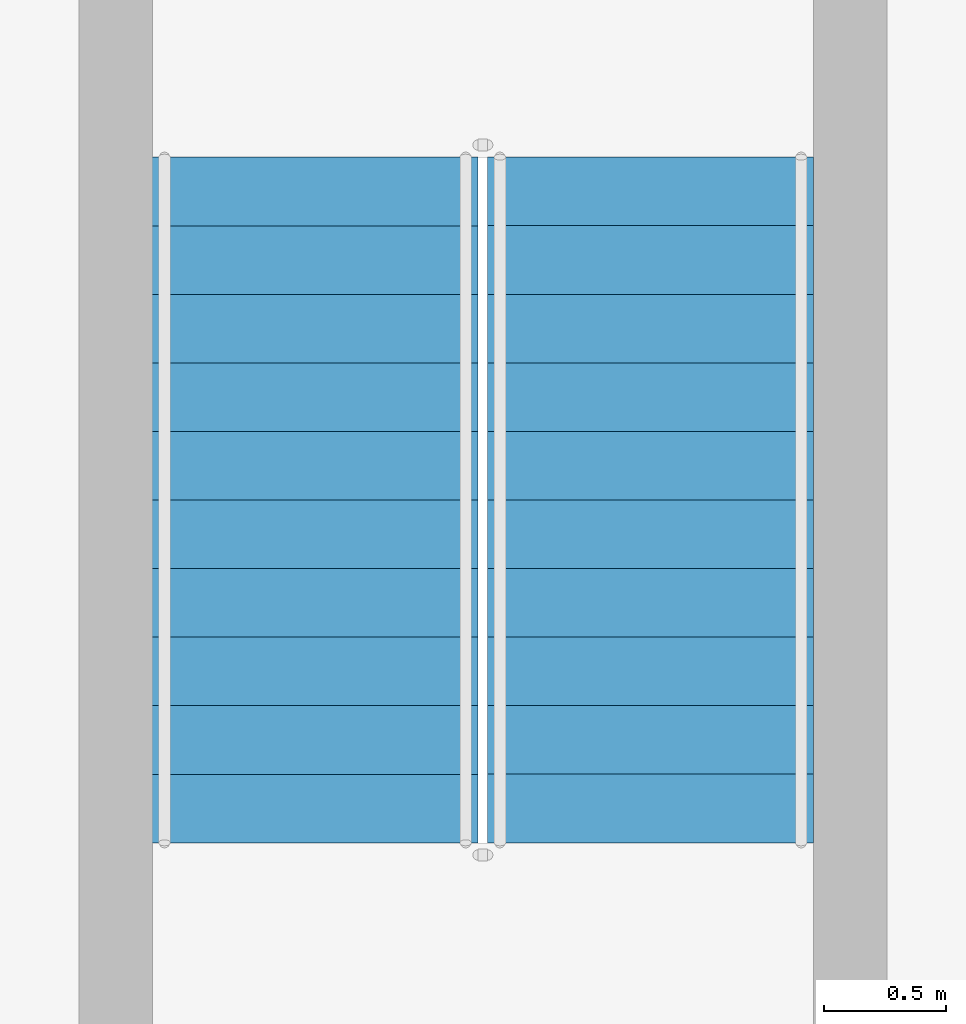
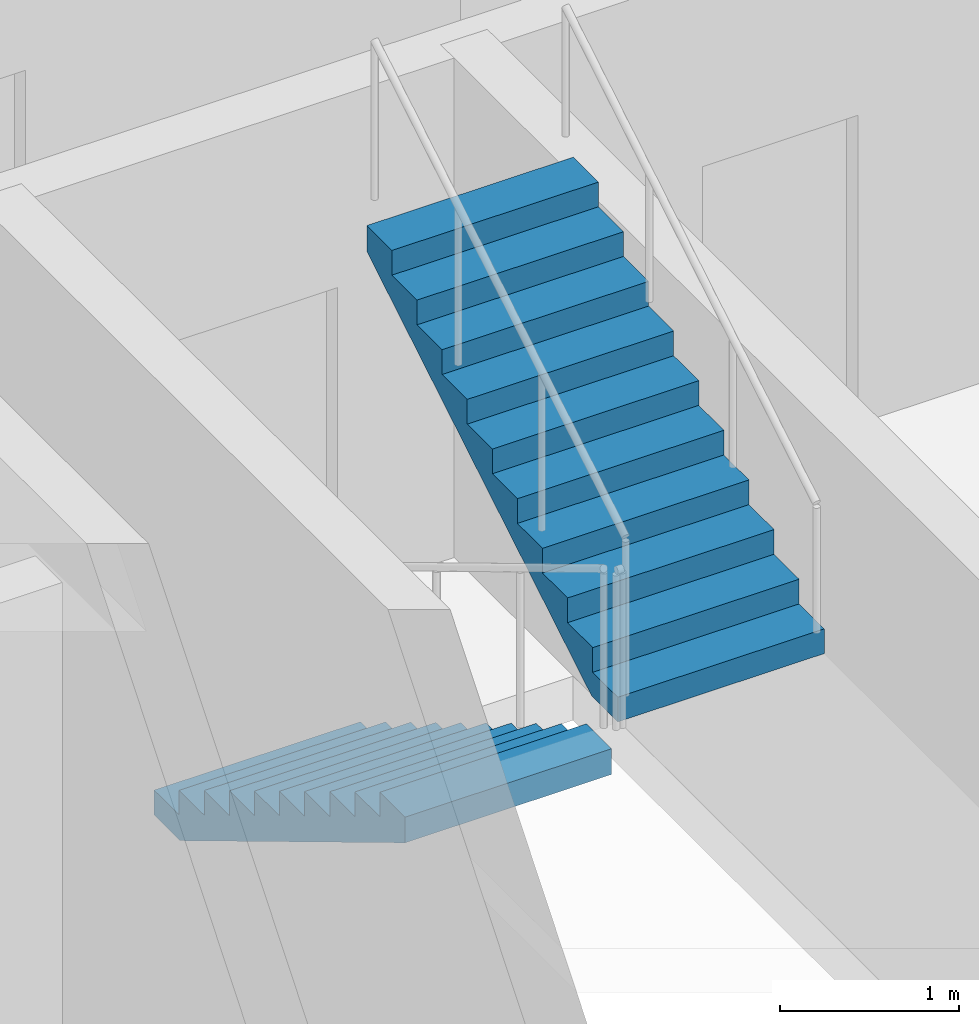
# One storey, part 13 of 22: 2 stair flights, 1 element without a shape of its own.
"""IFC4 building model written with IfcOpenShell, lengths in metres."""

import ifcopenshell
import ifcopenshell.guid

model = None  # the IFC model being written
_history = None  # IfcOwnerHistory: only IFC2X3 demands one
_inside = {}  # id of a spatial element -> (the spatial element, [elements in it])
_under = {}  # id of a project, library or spatial element -> (it, [spatial elements below it])
_declared = {}  # id of a project -> (the project, [libraries it declares])
_typed = {}  # id of a type object -> (the type object, [elements of that type])
_made_of = {}  # id of a material, layer set ... -> (it, [elements and type objects made of it])


def new_model(schema):
    """Start an empty IFC model of exactly this schema.

    Asked for "IFC4X3", IfcOpenShell would pick the latest addendum, in which some entities
    have other attributes; the version numbers below select the first issue.
    IFC2X3 requires an IfcOwnerHistory on every rooted entity: one is made here for all.
    """
    global model, _history
    if schema == "IFC4X3":
        model = ifcopenshell.file(schema_version=(4, 3, 0, 0))
    else:
        model = ifcopenshell.file(schema=schema)
    _inside.clear()
    _under.clear()
    _declared.clear()
    _typed.clear()
    _made_of.clear()
    _history = None
    if model.schema == "IFC2X3":
        org = make("IfcOrganization", Name="unknown")
        user = make(
            "IfcPersonAndOrganization",
            ThePerson=make("IfcPerson", FamilyName="unknown"),
            TheOrganization=org,
        )
        app = make(
            "IfcApplication",
            ApplicationDeveloper=org,
            Version="unknown",
            ApplicationFullName="unknown",
            ApplicationIdentifier="unknown",
        )
        _history = make(
            "IfcOwnerHistory",
            OwningUser=user,
            OwningApplication=app,
            ChangeAction="ADDED",
            CreationDate=0,
        )
    return model


def make(cls, **values):
    """One entity of the class cls with the attributes given. An attribute that is None is left unset."""
    return model.create_entity(
        cls, **{name: value for name, value in values.items() if value is not None}
    )


def rooted(cls, **values):
    """An entity with a GlobalId (a new one), such as an element, a storey or a relation."""
    return make(cls, GlobalId=ifcopenshell.guid.new(), OwnerHistory=_history, **values)


def si_unit(unit_type, name, prefix=None):
    """IfcSIUnit, for example si_unit("LENGTHUNIT", "METRE", prefix="MILLI")."""
    return make("IfcSIUnit", UnitType=unit_type, Prefix=prefix, Name=name)


def assignment(units):
    """IfcUnitAssignment: the units of a project."""
    return None if units is None else make("IfcUnitAssignment", Units=units)


def point(xyz):
    """IfcCartesianPoint."""
    return None if xyz is None else make("IfcCartesianPoint", Coordinates=xyz)


def direction(xyz):
    """IfcDirection."""
    return None if xyz is None else make("IfcDirection", DirectionRatios=xyz)


def frame(location, z_axis=None, x_axis=None):
    """IfcAxis2Placement3D, a coordinate frame: its origin and axes. An axis left out is left unset."""
    return make(
        "IfcAxis2Placement3D",
        Location=point(location),
        Axis=direction(z_axis),
        RefDirection=direction(x_axis),
    )


def origin():
    """The frame at (0, 0, 0) with its axes left unset."""
    return frame((0.0, 0.0, 0.0))


def place(relative_to, where):
    """IfcLocalPlacement: puts the frame where relative to a parent placement (None: the world)."""
    return make(
        "IfcLocalPlacement", PlacementRelTo=relative_to, RelativePlacement=where
    )


def context(
    kind, dimensions, precision=None, world=None, true_north=None, identifier=None
):
    """IfcGeometricRepresentationContext, for example the 3D "Model" context."""
    return make(
        "IfcGeometricRepresentationContext",
        ContextIdentifier=identifier,
        ContextType=kind,
        CoordinateSpaceDimension=dimensions,
        Precision=precision,
        WorldCoordinateSystem=world,
        TrueNorth=true_north,
    )


def subcontext(parent, identifier, kind, view, scale=None):
    """IfcGeometricRepresentationSubContext, for example "Body" below "Model"."""
    return make(
        "IfcGeometricRepresentationSubContext",
        ContextIdentifier=identifier,
        ContextType=kind,
        ParentContext=parent,
        TargetScale=scale,
        TargetView=view,
    )


def project(units=None, contexts=None):
    """IfcProject with its units and contexts."""
    return rooted(
        "IfcProject",
        Name="project",
        RepresentationContexts=contexts,
        UnitsInContext=assignment(units),
    )


def spatial(cls, under=None, at=None, **own):
    """A site, building, storey or space (cls), placed at a placement, below another one or the project."""
    s = rooted(cls, ObjectPlacement=at, **own)
    if under is not None:
        _under.setdefault(under.id(), (under, []))[1].append(s)
    return s


def point_list(points):
    """IfcCartesianPointList2D or 3D."""
    cls = (
        "IfcCartesianPointList2D" if len(points[0]) == 2 else "IfcCartesianPointList3D"
    )
    return make(cls, CoordList=points)


def triangles(points, corners, closed=None, point_numbers=None):
    """IfcTriangulatedFaceSet: each triangle names its three corners, points numbered from 1."""
    return make(
        "IfcTriangulatedFaceSet",
        Coordinates=point_list(points),
        Closed=closed,
        CoordIndex=corners,
        PnIndex=point_numbers,
    )


def shape(context_of_items, identifier, shape_type, items):
    """IfcShapeRepresentation: the items that make up one representation, for example the "Body"."""
    return make(
        "IfcShapeRepresentation",
        ContextOfItems=context_of_items,
        RepresentationIdentifier=identifier,
        RepresentationType=shape_type,
        Items=items,
    )


def source(mapping_origin, context_of_items, identifier, shape_type, items):
    """IfcRepresentationMap: a shape defined once, which mapped items show again and again."""
    return make(
        "IfcRepresentationMap",
        MappingOrigin=mapping_origin,
        MappedRepresentation=shape(context_of_items, identifier, shape_type, items),
    )


def transform(
    local_origin,
    x_axis=None,
    y_axis=None,
    z_axis=None,
    scale=None,
    scale2=None,
    scale3=None,
    uniform=True,
):
    """IfcCartesianTransformationOperator3D, or its non-uniform kind. x_axis, y_axis, z_axis: its Axis1, 2, 3."""
    if uniform:
        return make(
            "IfcCartesianTransformationOperator3D",
            Axis1=direction(x_axis),
            Axis2=direction(y_axis),
            LocalOrigin=point(local_origin),
            Scale=scale,
            Axis3=direction(z_axis),
        )
    return make(
        "IfcCartesianTransformationOperator3DnonUniform",
        Axis1=direction(x_axis),
        Axis2=direction(y_axis),
        LocalOrigin=point(local_origin),
        Scale=scale,
        Axis3=direction(z_axis),
        Scale2=scale2,
        Scale3=scale3,
    )


def mapped(mapping_source, mapping_target):
    """IfcMappedItem: shows the shape of a source again, moved by a transform."""
    return make(
        "IfcMappedItem", MappingSource=mapping_source, MappingTarget=mapping_target
    )


def material(Name=None, Category=None):
    """IfcMaterial."""
    return make("IfcMaterial", Name=Name, Category=Category)


def made_of(thing, what):
    """Note that an element or type object is made of a material, layer set ...; save() writes the relation."""
    if what is not None:
        _made_of.setdefault(what.id(), (what, []))[1].append(thing)
    return thing


def type_object(cls, material=None, **own):
    """A type object (cls), such as IfcWallType, which elements share."""
    return made_of(rooted(cls, **own), material)


def element(
    cls,
    number,
    at=None,
    inside=None,
    cuts=None,
    type_object=None,
    material=None,
    context=None,
    identifier="Body",
    shape_type=None,
    held_by="IfcProductDefinitionShape",
    body=None,
    shapes=None,
    **own,
):
    """One element of the class cls, such as IfcWall. Its Tag is "e" and its number.

    at: its placement. inside: the storey or other place that contains it. cuts: it is an
    opening in that element (IfcRelVoidsElement). A single representation is given by context,
    identifier, shape_type and body (its items); several are given by shapes. held_by: the class
    of the entity that holds the representations. save() writes the other relations.
    """
    e = rooted(cls, Tag="e%d" % number, ObjectPlacement=at, **own)
    if body is not None:
        shapes = [shape(context, identifier, shape_type, body)]
    if shapes is not None:
        e.Representation = make(held_by, Representations=shapes)
    if inside is not None:
        _inside.setdefault(inside.id(), (inside, []))[1].append(e)
    if cuts is not None:
        rooted(
            "IfcRelVoidsElement", RelatingBuildingElement=cuts, RelatedOpeningElement=e
        )
    if type_object is not None:
        _typed.setdefault(type_object.id(), (type_object, []))[1].append(e)
    return made_of(e, material)


def aggregate(whole, parts):
    """IfcRelAggregates: a whole, such as a stair, and the parts it consists of."""
    return rooted("IfcRelAggregates", RelatingObject=whole, RelatedObjects=parts)


def save(model, path):
    """Write the relations noted so far, then the file.

    IfcRelAggregates (storeys below a building ...), IfcRelContainedInSpatialStructure (elements
    in a storey), IfcRelDefinesByType, IfcRelAssociatesMaterial and IfcRelDeclares: one each for
    every whole, place, type object, material and project.
    """
    for whole, parts in _under.values():
        aggregate(whole, parts)
    for where, things in _inside.values():
        rooted(
            "IfcRelContainedInSpatialStructure",
            RelatedElements=things,
            RelatingStructure=where,
        )
    for kind, things in _typed.values():
        rooted("IfcRelDefinesByType", RelatedObjects=things, RelatingType=kind)
    for what, things in _made_of.values():
        rooted("IfcRelAssociatesMaterial", RelatedObjects=things, RelatingMaterial=what)
    for by, libraries in _declared.values():
        rooted("IfcRelDeclares", RelatingContext=by, RelatedDefinitions=libraries)
    model.write(path)


model = new_model("IFC4")

# Units and contexts
model_context = context("Model", 3, precision=1e-05, world=origin(), true_north=direction((0.0, 1.0)))
body_context = subcontext(model_context, "Body", "Model", "MODEL_VIEW")
ifc_project = project(units=[si_unit("LENGTHUNIT", "METRE"), si_unit("AREAUNIT", "SQUARE_METRE"), si_unit("VOLUMEUNIT", "CUBIC_METRE"), si_unit("PLANEANGLEUNIT", "RADIAN"), si_unit("MASSUNIT", "GRAM", prefix="KILO")], contexts=[model_context])

# Site, building, storey
site_placement = place(None, origin())
site = spatial("IfcSite", under=ifc_project, at=site_placement, CompositionType="ELEMENT")
building_placement = place(site_placement, origin())
building = spatial("IfcBuilding", under=site, at=building_placement, Name="Ogive Portal Towers", CompositionType="ELEMENT")
storey_placement = place(building_placement, frame((0.0, 0.0, 145.89990234375)))
storey = spatial("IfcBuildingStorey", under=building, at=storey_placement, Name="L35", CompositionType="ELEMENT", Elevation=145.89990234375)

# Stair, stair flights
ifc_material = material(Name="Concrete C40/50", Category="concrete")
stair_type = type_object("IfcStairType", Name="INT-STAIR", PredefinedType="HALF_TURN_STAIR", material=ifc_material)
stair_placement = place(storey_placement, origin())
stair = element("IfcStair", 1, at=stair_placement, inside=storey, type_object=stair_type, Name="L35 Exit Stair ST-A4", PredefinedType="HALF_TURN_STAIR")
stair_flight_type = type_object("IfcStairFlightType", Name="INT-FLIGHT", PredefinedType="STRAIGHT", material=ifc_material)
shared_shape = source(origin(), body_context, "Body", "Tessellation", [
    triangles([(0.0, -0.6650390625, 0.0), (0.0, -0.384765625, 0.0), (0.0, -0.197021484375, 0.0), (0.0, -0.0830078125, 0.0), (0.0, -0.024658203125, 0.0), (0.0, -0.003173828125, 0.0), (0.0, 0.0, 0.0), (0.0, 0.003173828125, 0.0), (0.0, 0.024658203125, 0.0), (0.0, 0.0830078125, 0.0), (0.0, 0.197021484375, 0.0), (0.0, 0.384765625, 0.0), (0.0, 0.6650390625, 0.0), (0.0, -0.6650390625, 0.168212890625), (0.0, -0.384765625, 0.168212890625), (0.0, -0.197021484375, 0.168212890625), (0.0, -0.0830078125, 0.168212890625), (0.0, -0.024658203125, 0.168212890625), (0.0, -0.003173828125, 0.168212890625), (0.0, 0.0, 0.168212890625), (0.0, 0.003173828125, 0.168212890625), (0.0, 0.024658203125, 0.168212890625), (0.0, 0.0830078125, 0.168212890625), (0.0, 0.197021484375, 0.168212890625), (0.0, 0.384765625, 0.168212890625), (0.0, 0.6650390625, 0.168212890625), (0.280029296875, -0.6650390625, 0.168212890625), (0.280029296875, -0.384765625, 0.168212890625), (0.280029296875, -0.197021484375, 0.168212890625), (0.280029296875, -0.0830078125, 0.168212890625), (0.280029296875, -0.024658203125, 0.168212890625), (0.280029296875, -0.003173828125, 0.168212890625), (0.280029296875, 0.0, 0.168212890625), (0.280029296875, 0.003173828125, 0.168212890625), (0.280029296875, 0.024658203125, 0.168212890625), (0.280029296875, 0.0830078125, 0.168212890625), (0.280029296875, 0.197021484375, 0.168212890625), (0.280029296875, 0.384765625, 0.168212890625), (0.280029296875, 0.6650390625, 0.168212890625), (0.280029296875, -0.6650390625, 0.33642578125), (0.280029296875, -0.384765625, 0.33642578125), (0.280029296875, -0.197021484375, 0.33642578125), (0.280029296875, -0.0830078125, 0.33642578125), (0.280029296875, -0.024658203125, 0.33642578125), (0.280029296875, -0.003173828125, 0.33642578125), (0.280029296875, 0.0, 0.33642578125), (0.280029296875, 0.003173828125, 0.33642578125), (0.280029296875, 0.024658203125, 0.33642578125), (0.280029296875, 0.0830078125, 0.33642578125), (0.280029296875, 0.197021484375, 0.33642578125), (0.280029296875, 0.384765625, 0.33642578125), (0.280029296875, 0.6650390625, 0.33642578125), (0.56005859375, -0.6650390625, 0.33642578125), (0.56005859375, -0.384765625, 0.33642578125), (0.56005859375, -0.197021484375, 0.33642578125), (0.56005859375, -0.0830078125, 0.33642578125), (0.56005859375, -0.024658203125, 0.33642578125), (0.56005859375, -0.003173828125, 0.33642578125), (0.56005859375, 0.0, 0.33642578125), (0.56005859375, 0.003173828125, 0.33642578125), (0.56005859375, 0.024658203125, 0.33642578125), (0.56005859375, 0.0830078125, 0.33642578125), (0.56005859375, 0.197021484375, 0.33642578125), (0.56005859375, 0.384765625, 0.33642578125), (0.56005859375, 0.6650390625, 0.33642578125), (0.56005859375, -0.6650390625, 0.504638671875), (0.56005859375, -0.384765625, 0.504638671875), (0.56005859375, -0.197021484375, 0.504638671875), (0.56005859375, -0.0830078125, 0.504638671875), (0.56005859375, -0.024658203125, 0.504638671875), (0.56005859375, -0.003173828125, 0.504638671875), (0.56005859375, 0.0, 0.504638671875), (0.56005859375, 0.003173828125, 0.504638671875), (0.56005859375, 0.024658203125, 0.504638671875), (0.56005859375, 0.0830078125, 0.504638671875), (0.56005859375, 0.197021484375, 0.504638671875), (0.56005859375, 0.384765625, 0.504638671875), (0.56005859375, 0.6650390625, 0.504638671875), (0.840087890625, -0.6650390625, 0.504638671875), (0.840087890625, -0.384765625, 0.504638671875), (0.840087890625, -0.197021484375, 0.504638671875), (0.840087890625, -0.0830078125, 0.504638671875), (0.840087890625, -0.024658203125, 0.504638671875), (0.840087890625, -0.003173828125, 0.504638671875), (0.840087890625, 0.0, 0.504638671875), (0.840087890625, 0.003173828125, 0.504638671875), (0.840087890625, 0.024658203125, 0.504638671875), (0.840087890625, 0.0830078125, 0.504638671875), (0.840087890625, 0.197021484375, 0.504638671875), (0.840087890625, 0.384765625, 0.504638671875), (0.840087890625, 0.6650390625, 0.504638671875), (0.840087890625, -0.6650390625, 0.672607421875), (0.840087890625, -0.384765625, 0.672607421875), (0.840087890625, -0.197021484375, 0.672607421875), (0.840087890625, -0.0830078125, 0.672607421875), (0.840087890625, -0.024658203125, 0.672607421875), (0.840087890625, -0.003173828125, 0.672607421875), (0.840087890625, 0.0, 0.672607421875), (0.840087890625, 0.003173828125, 0.672607421875), (0.840087890625, 0.024658203125, 0.672607421875), (0.840087890625, 0.0830078125, 0.672607421875), (0.840087890625, 0.197021484375, 0.672607421875), (0.840087890625, 0.384765625, 0.672607421875), (0.840087890625, 0.6650390625, 0.672607421875), (1.1201171875, -0.6650390625, 0.672607421875), (1.1201171875, -0.384765625, 0.672607421875), (1.1201171875, -0.197021484375, 0.672607421875), (1.1201171875, -0.0830078125, 0.672607421875), (1.1201171875, -0.024658203125, 0.672607421875), (1.1201171875, -0.003173828125, 0.672607421875), (1.1201171875, 0.0, 0.672607421875), (1.1201171875, 0.003173828125, 0.672607421875), (1.1201171875, 0.024658203125, 0.672607421875), (1.1201171875, 0.0830078125, 0.672607421875), (1.1201171875, 0.197021484375, 0.672607421875), (1.1201171875, 0.384765625, 0.672607421875), (1.1201171875, 0.6650390625, 0.672607421875), (1.1201171875, -0.6650390625, 0.8408203125), (1.1201171875, -0.384765625, 0.8408203125), (1.1201171875, -0.197021484375, 0.8408203125), (1.1201171875, -0.0830078125, 0.8408203125), (1.1201171875, -0.024658203125, 0.8408203125), (1.1201171875, -0.003173828125, 0.8408203125), (1.1201171875, 0.0, 0.8408203125), (1.1201171875, 0.003173828125, 0.8408203125), (1.1201171875, 0.024658203125, 0.8408203125), (1.1201171875, 0.0830078125, 0.8408203125), (1.1201171875, 0.197021484375, 0.8408203125), (1.1201171875, 0.384765625, 0.8408203125), (1.1201171875, 0.6650390625, 0.8408203125), (1.39990234375, -0.6650390625, 0.8408203125), (1.39990234375, -0.384765625, 0.8408203125), (1.39990234375, -0.197021484375, 0.8408203125), (1.39990234375, -0.0830078125, 0.8408203125), (1.39990234375, -0.024658203125, 0.8408203125), (1.39990234375, -0.003173828125, 0.8408203125), (1.39990234375, 0.0, 0.8408203125), (1.39990234375, 0.003173828125, 0.8408203125), (1.39990234375, 0.024658203125, 0.8408203125), (1.39990234375, 0.0830078125, 0.8408203125), (1.39990234375, 0.197021484375, 0.8408203125), (1.39990234375, 0.384765625, 0.8408203125), (1.39990234375, 0.6650390625, 0.8408203125), (1.39990234375, -0.6650390625, 1.009033203125), (1.39990234375, -0.384765625, 1.009033203125), (1.39990234375, -0.197021484375, 1.009033203125), (1.39990234375, -0.0830078125, 1.009033203125), (1.39990234375, -0.024658203125, 1.009033203125), (1.39990234375, -0.003173828125, 1.009033203125), (1.39990234375, 0.0, 1.009033203125), (1.39990234375, 0.003173828125, 1.009033203125), (1.39990234375, 0.024658203125, 1.009033203125), (1.39990234375, 0.0830078125, 1.009033203125), (1.39990234375, 0.197021484375, 1.009033203125), (1.39990234375, 0.384765625, 1.009033203125), (1.39990234375, 0.6650390625, 1.009033203125), (1.679931640625, -0.6650390625, 1.009033203125), (1.679931640625, -0.384765625, 1.009033203125), (1.679931640625, -0.197021484375, 1.009033203125), (1.679931640625, -0.0830078125, 1.009033203125), (1.679931640625, -0.024658203125, 1.009033203125), (1.679931640625, -0.003173828125, 1.009033203125), (1.679931640625, 0.0, 1.009033203125), (1.679931640625, 0.003173828125, 1.009033203125), (1.679931640625, 0.024658203125, 1.009033203125), (1.679931640625, 0.0830078125, 1.009033203125), (1.679931640625, 0.197021484375, 1.009033203125), (1.679931640625, 0.384765625, 1.009033203125), (1.679931640625, 0.6650390625, 1.009033203125), (1.679931640625, -0.6650390625, 1.17724609375), (1.679931640625, -0.384765625, 1.17724609375), (1.679931640625, -0.197021484375, 1.17724609375), (1.679931640625, -0.0830078125, 1.17724609375), (1.679931640625, -0.024658203125, 1.17724609375), (1.679931640625, -0.003173828125, 1.17724609375), (1.679931640625, 0.0, 1.17724609375), (1.679931640625, 0.003173828125, 1.17724609375), (1.679931640625, 0.024658203125, 1.17724609375), (1.679931640625, 0.0830078125, 1.17724609375), (1.679931640625, 0.197021484375, 1.17724609375), (1.679931640625, 0.384765625, 1.17724609375), (1.679931640625, 0.6650390625, 1.17724609375), (1.9599609375, -0.6650390625, 1.17724609375), (1.9599609375, -0.384765625, 1.17724609375), (1.9599609375, -0.197021484375, 1.17724609375), (1.9599609375, -0.0830078125, 1.17724609375), (1.9599609375, -0.024658203125, 1.17724609375), (1.9599609375, -0.003173828125, 1.17724609375), (1.9599609375, 0.0, 1.17724609375), (1.9599609375, 0.003173828125, 1.17724609375), (1.9599609375, 0.024658203125, 1.17724609375), (1.9599609375, 0.0830078125, 1.17724609375), (1.9599609375, 0.197021484375, 1.17724609375), (1.9599609375, 0.384765625, 1.17724609375), (1.9599609375, 0.6650390625, 1.17724609375), (1.9599609375, -0.6650390625, 1.345458984375), (1.9599609375, -0.384765625, 1.345458984375), (1.9599609375, -0.197021484375, 1.345458984375), (1.9599609375, -0.0830078125, 1.345458984375), (1.9599609375, -0.024658203125, 1.345458984375), (1.9599609375, -0.003173828125, 1.345458984375), (1.9599609375, 0.0, 1.345458984375), (1.9599609375, 0.003173828125, 1.345458984375), (1.9599609375, 0.024658203125, 1.345458984375), (1.9599609375, 0.0830078125, 1.345458984375), (1.9599609375, 0.197021484375, 1.345458984375), (1.9599609375, 0.384765625, 1.345458984375), (1.9599609375, 0.6650390625, 1.345458984375), (2.239990234375, -0.6650390625, 1.345458984375), (2.239990234375, -0.384765625, 1.345458984375), (2.239990234375, -0.197021484375, 1.345458984375), (2.239990234375, -0.0830078125, 1.345458984375), (2.239990234375, -0.024658203125, 1.345458984375), (2.239990234375, -0.003173828125, 1.345458984375), (2.239990234375, 0.0, 1.345458984375), (2.239990234375, 0.003173828125, 1.345458984375), (2.239990234375, 0.024658203125, 1.345458984375), (2.239990234375, 0.0830078125, 1.345458984375), (2.239990234375, 0.197021484375, 1.345458984375), (2.239990234375, 0.384765625, 1.345458984375), (2.239990234375, 0.6650390625, 1.345458984375), (2.239990234375, -0.6650390625, 1.513671875), (2.239990234375, -0.384765625, 1.513671875), (2.239990234375, -0.197021484375, 1.513671875), (2.239990234375, -0.0830078125, 1.513671875), (2.239990234375, -0.024658203125, 1.513671875), (2.239990234375, -0.003173828125, 1.513671875), (2.239990234375, 0.0, 1.513671875), (2.239990234375, 0.003173828125, 1.513671875), (2.239990234375, 0.024658203125, 1.513671875), (2.239990234375, 0.0830078125, 1.513671875), (2.239990234375, 0.197021484375, 1.513671875), (2.239990234375, 0.384765625, 1.513671875), (2.239990234375, 0.6650390625, 1.513671875), (2.52001953125, -0.6650390625, 1.513671875), (2.52001953125, -0.384765625, 1.513671875), (2.52001953125, -0.197021484375, 1.513671875), (2.52001953125, -0.0830078125, 1.513671875), (2.52001953125, -0.024658203125, 1.513671875), (2.52001953125, -0.003173828125, 1.513671875), (2.52001953125, 0.0, 1.513671875), (2.52001953125, 0.003173828125, 1.513671875), (2.52001953125, 0.024658203125, 1.513671875), (2.52001953125, 0.0830078125, 1.513671875), (2.52001953125, 0.197021484375, 1.513671875), (2.52001953125, 0.384765625, 1.513671875), (2.52001953125, 0.6650390625, 1.513671875), (2.52001953125, -0.6650390625, 1.681884765625), (2.52001953125, -0.384765625, 1.681884765625), (2.52001953125, -0.197021484375, 1.681884765625), (2.52001953125, -0.0830078125, 1.681884765625), (2.52001953125, -0.024658203125, 1.681884765625), (2.52001953125, -0.003173828125, 1.681884765625), (2.52001953125, 0.0, 1.681884765625), (2.52001953125, 0.003173828125, 1.681884765625), (2.52001953125, 0.024658203125, 1.681884765625), (2.52001953125, 0.0830078125, 1.681884765625), (2.52001953125, 0.197021484375, 1.681884765625), (2.52001953125, 0.384765625, 1.681884765625), (2.52001953125, 0.6650390625, 1.681884765625), (2.800048828125, -0.6650390625, 1.681884765625), (2.800048828125, -0.384765625, 1.681884765625), (2.800048828125, -0.197021484375, 1.681884765625), (2.800048828125, -0.0830078125, 1.681884765625), (2.800048828125, -0.024658203125, 1.681884765625), (2.800048828125, -0.003173828125, 1.681884765625), (2.800048828125, 0.0, 1.681884765625), (2.800048828125, 0.003173828125, 1.681884765625), (2.800048828125, 0.024658203125, 1.681884765625), (2.800048828125, 0.0830078125, 1.681884765625), (2.800048828125, 0.197021484375, 1.681884765625), (2.800048828125, 0.384765625, 1.681884765625), (2.800048828125, 0.6650390625, 1.681884765625), (2.800048828125, -0.6650390625, 1.5068359375), (2.800048828125, -0.384765625, 1.5068359375), (2.800048828125, -0.197021484375, 1.5068359375), (2.800048828125, -0.0830078125, 1.5068359375), (2.800048828125, -0.024658203125, 1.5068359375), (2.800048828125, -0.003173828125, 1.5068359375), (2.800048828125, 0.0, 1.5068359375), (2.800048828125, 0.003173828125, 1.5068359375), (2.800048828125, 0.024658203125, 1.5068359375), (2.800048828125, 0.0830078125, 1.5068359375), (2.800048828125, 0.197021484375, 1.5068359375), (2.800048828125, 0.384765625, 1.5068359375), (2.800048828125, 0.6650390625, 1.5068359375), (0.291015625, -0.6650390625, 0.0), (0.291015625, -0.384765625, 0.0), (0.291015625, -0.197021484375, 0.0), (0.291015625, -0.0830078125, 0.0), (0.291015625, -0.024658203125, 0.0), (0.291015625, -0.003173828125, 0.0), (0.291015625, 0.0, 0.0), (0.291015625, 0.003173828125, 0.0), (0.291015625, 0.024658203125, 0.0), (0.291015625, 0.0830078125, 0.0), (0.291015625, 0.197021484375, 0.0), (0.291015625, 0.384765625, 0.0), (0.291015625, 0.6650390625, 0.0)], [[1, 14, 15], [1, 15, 2], [2, 15, 16], [2, 16, 3], [3, 16, 17], [3, 17, 4], [4, 17, 18], [4, 18, 5], [5, 18, 19], [5, 19, 6], [6, 19, 20], [6, 20, 7], [7, 20, 21], [7, 21, 8], [8, 21, 22], [8, 22, 9], [9, 22, 23], [9, 23, 10], [10, 23, 24], [10, 24, 11], [11, 24, 25], [11, 25, 12], [12, 25, 26], [12, 26, 13], [14, 27, 28], [14, 28, 15], [15, 28, 29], [15, 29, 16], [16, 29, 30], [16, 30, 17], [17, 30, 31], [17, 31, 18], [18, 31, 32], [18, 32, 19], [19, 32, 33], [19, 33, 20], [20, 33, 34], [20, 34, 21], [21, 34, 35], [21, 35, 22], [22, 35, 36], [22, 36, 23], [23, 36, 37], [23, 37, 24], [24, 37, 38], [24, 38, 25], [25, 38, 39], [25, 39, 26], [27, 40, 41], [27, 41, 28], [28, 41, 42], [28, 42, 29], [29, 42, 43], [29, 43, 30], [30, 43, 44], [30, 44, 31], [31, 44, 45], [31, 45, 32], [32, 45, 46], [32, 46, 33], [33, 46, 47], [33, 47, 34], [34, 47, 48], [34, 48, 35], [35, 48, 49], [35, 49, 36], [36, 49, 50], [36, 50, 37], [37, 50, 51], [37, 51, 38], [38, 51, 52], [38, 52, 39], [40, 53, 54], [40, 54, 41], [41, 54, 55], [41, 55, 42], [42, 55, 56], [42, 56, 43], [43, 56, 57], [43, 57, 44], [44, 57, 58], [44, 58, 45], [45, 58, 59], [45, 59, 46], [46, 59, 60], [46, 60, 47], [47, 60, 61], [47, 61, 48], [48, 61, 62], [48, 62, 49], [49, 62, 63], [49, 63, 50], [50, 63, 64], [50, 64, 51], [51, 64, 65], [51, 65, 52], [53, 66, 67], [53, 67, 54], [54, 67, 68], [54, 68, 55], [55, 68, 69], [55, 69, 56], [56, 69, 70], [56, 70, 57], [57, 70, 71], [57, 71, 58], [58, 71, 72], [58, 72, 59], [59, 72, 73], [59, 73, 60], [60, 73, 74], [60, 74, 61], [61, 74, 75], [61, 75, 62], [62, 75, 76], [62, 76, 63], [63, 76, 77], [63, 77, 64], [64, 77, 78], [64, 78, 65], [66, 79, 80], [66, 80, 67], [67, 80, 81], [67, 81, 68], [68, 81, 82], [68, 82, 69], [69, 82, 83], [69, 83, 70], [70, 83, 84], [70, 84, 71], [71, 84, 85], [71, 85, 72], [72, 85, 86], [72, 86, 73], [73, 86, 87], [73, 87, 74], [74, 87, 88], [74, 88, 75], [75, 88, 89], [75, 89, 76], [76, 89, 90], [76, 90, 77], [77, 90, 91], [77, 91, 78], [79, 92, 93], [79, 93, 80], [80, 93, 94], [80, 94, 81], [81, 94, 95], [81, 95, 82], [82, 95, 96], [82, 96, 83], [83, 96, 97], [83, 97, 84], [84, 97, 98], [84, 98, 85], [85, 98, 99], [85, 99, 86], [86, 99, 100], [86, 100, 87], [87, 100, 101], [87, 101, 88], [88, 101, 102], [88, 102, 89], [89, 102, 103], [89, 103, 90], [90, 103, 104], [90, 104, 91], [92, 105, 106], [92, 106, 93], [93, 106, 107], [93, 107, 94], [94, 107, 108], [94, 108, 95], [95, 108, 109], [95, 109, 96], [96, 109, 110], [96, 110, 97], [97, 110, 111], [97, 111, 98], [98, 111, 112], [98, 112, 99], [99, 112, 113], [99, 113, 100], [100, 113, 114], [100, 114, 101], [101, 114, 115], [101, 115, 102], [102, 115, 116], [102, 116, 103], [103, 116, 117], [103, 117, 104], [105, 118, 119], [105, 119, 106], [106, 119, 120], [106, 120, 107], [107, 120, 121], [107, 121, 108], [108, 121, 122], [108, 122, 109], [109, 122, 123], [109, 123, 110], [110, 123, 124], [110, 124, 111], [111, 124, 125], [111, 125, 112], [112, 125, 126], [112, 126, 113], [113, 126, 127], [113, 127, 114], [114, 127, 128], [114, 128, 115], [115, 128, 129], [115, 129, 116], [116, 129, 130], [116, 130, 117], [118, 131, 132], [118, 132, 119], [119, 132, 133], [119, 133, 120], [120, 133, 134], [120, 134, 121], [121, 134, 135], [121, 135, 122], [122, 135, 136], [122, 136, 123], [123, 136, 137], [123, 137, 124], [124, 137, 138], [124, 138, 125], [125, 138, 139], [125, 139, 126], [126, 139, 140], [126, 140, 127], [127, 140, 141], [127, 141, 128], [128, 141, 142], [128, 142, 129], [129, 142, 143], [129, 143, 130], [131, 144, 145], [131, 145, 132], [132, 145, 146], [132, 146, 133], [133, 146, 147], [133, 147, 134], [134, 147, 148], [134, 148, 135], [135, 148, 149], [135, 149, 136], [136, 149, 150], [136, 150, 137], [137, 150, 151], [137, 151, 138], [138, 151, 152], [138, 152, 139], [139, 152, 153], [139, 153, 140], [140, 153, 154], [140, 154, 141], [141, 154, 155], [141, 155, 142], [142, 155, 156], [142, 156, 143], [144, 157, 158], [144, 158, 145], [145, 158, 159], [145, 159, 146], [146, 159, 160], [146, 160, 147], [147, 160, 161], [147, 161, 148], [148, 161, 162], [148, 162, 149], [149, 162, 163], [149, 163, 150], [150, 163, 164], [150, 164, 151], [151, 164, 165], [151, 165, 152], [152, 165, 166], [152, 166, 153], [153, 166, 167], [153, 167, 154], [154, 167, 168], [154, 168, 155], [155, 168, 169], [155, 169, 156], [157, 170, 171], [157, 171, 158], [158, 171, 172], [158, 172, 159], [159, 172, 173], [159, 173, 160], [160, 173, 174], [160, 174, 161], [161, 174, 175], [161, 175, 162], [162, 175, 176], [162, 176, 163], [163, 176, 177], [163, 177, 164], [164, 177, 178], [164, 178, 165], [165, 178, 179], [165, 179, 166], [166, 179, 180], [166, 180, 167], [167, 180, 181], [167, 181, 168], [168, 181, 182], [168, 182, 169], [170, 183, 184], [170, 184, 171], [171, 184, 185], [171, 185, 172], [172, 185, 186], [172, 186, 173], [173, 186, 187], [173, 187, 174], [174, 187, 188], [174, 188, 175], [175, 188, 189], [175, 189, 176], [176, 189, 190], [176, 190, 177], [177, 190, 191], [177, 191, 178], [178, 191, 192], [178, 192, 179], [179, 192, 193], [179, 193, 180], [180, 193, 194], [180, 194, 181], [181, 194, 195], [181, 195, 182], [183, 196, 197], [183, 197, 184], [184, 197, 198], [184, 198, 185], [185, 198, 199], [185, 199, 186], [186, 199, 200], [186, 200, 187], [187, 200, 201], [187, 201, 188], [188, 201, 202], [188, 202, 189], [189, 202, 203], [189, 203, 190], [190, 203, 204], [190, 204, 191], [191, 204, 205], [191, 205, 192], [192, 205, 206], [192, 206, 193], [193, 206, 207], [193, 207, 194], [194, 207, 208], [194, 208, 195], [196, 209, 210], [196, 210, 197], [197, 210, 211], [197, 211, 198], [198, 211, 212], [198, 212, 199], [199, 212, 213], [199, 213, 200], [200, 213, 214], [200, 214, 201], [201, 214, 215], [201, 215, 202], [202, 215, 216], [202, 216, 203], [203, 216, 217], [203, 217, 204], [204, 217, 218], [204, 218, 205], [205, 218, 219], [205, 219, 206], [206, 219, 220], [206, 220, 207], [207, 220, 221], [207, 221, 208], [209, 222, 223], [209, 223, 210], [210, 223, 224], [210, 224, 211], [211, 224, 225], [211, 225, 212], [212, 225, 226], [212, 226, 213], [213, 226, 227], [213, 227, 214], [214, 227, 228], [214, 228, 215], [215, 228, 229], [215, 229, 216], [216, 229, 230], [216, 230, 217], [217, 230, 231], [217, 231, 218], [218, 231, 232], [218, 232, 219], [219, 232, 233], [219, 233, 220], [220, 233, 234], [220, 234, 221], [222, 235, 236], [222, 236, 223], [223, 236, 237], [223, 237, 224], [224, 237, 238], [224, 238, 225], [225, 238, 239], [225, 239, 226], [226, 239, 240], [226, 240, 227], [227, 240, 241], [227, 241, 228], [228, 241, 242], [228, 242, 229], [229, 242, 243], [229, 243, 230], [230, 243, 244], [230, 244, 231], [231, 244, 245], [231, 245, 232], [232, 245, 246], [232, 246, 233], [233, 246, 247], [233, 247, 234], [235, 248, 249], [235, 249, 236], [236, 249, 250], [236, 250, 237], [237, 250, 251], [237, 251, 238], [238, 251, 252], [238, 252, 239], [239, 252, 253], [239, 253, 240], [240, 253, 254], [240, 254, 241], [241, 254, 255], [241, 255, 242], [242, 255, 256], [242, 256, 243], [243, 256, 257], [243, 257, 244], [244, 257, 258], [244, 258, 245], [245, 258, 259], [245, 259, 246], [246, 259, 260], [246, 260, 247], [248, 261, 262], [248, 262, 249], [249, 262, 263], [249, 263, 250], [250, 263, 264], [250, 264, 251], [251, 264, 265], [251, 265, 252], [252, 265, 266], [252, 266, 253], [253, 266, 267], [253, 267, 254], [254, 267, 268], [254, 268, 255], [255, 268, 269], [255, 269, 256], [256, 269, 270], [256, 270, 257], [257, 270, 271], [257, 271, 258], [258, 271, 272], [258, 272, 259], [259, 272, 273], [259, 273, 260], [261, 274, 275], [261, 275, 262], [262, 275, 276], [262, 276, 263], [263, 276, 277], [263, 277, 264], [264, 277, 278], [264, 278, 265], [265, 278, 279], [265, 279, 266], [266, 279, 280], [266, 280, 267], [267, 280, 281], [267, 281, 268], [268, 281, 282], [268, 282, 269], [269, 282, 283], [269, 283, 270], [270, 283, 284], [270, 284, 271], [271, 284, 285], [271, 285, 272], [272, 285, 286], [272, 286, 273], [274, 287, 288], [274, 288, 275], [275, 288, 289], [275, 289, 276], [276, 289, 290], [276, 290, 277], [277, 290, 291], [277, 291, 278], [278, 291, 292], [278, 292, 279], [279, 292, 293], [279, 293, 280], [280, 293, 294], [280, 294, 281], [281, 294, 295], [281, 295, 282], [282, 295, 296], [282, 296, 283], [283, 296, 297], [283, 297, 284], [284, 297, 298], [284, 298, 285], [285, 298, 299], [285, 299, 286], [287, 1, 2], [287, 2, 288], [288, 2, 3], [288, 3, 289], [289, 3, 4], [289, 4, 290], [290, 4, 5], [290, 5, 291], [291, 5, 6], [291, 6, 292], [292, 6, 7], [292, 7, 293], [293, 7, 8], [293, 8, 294], [294, 8, 9], [294, 9, 295], [295, 9, 10], [295, 10, 296], [296, 10, 11], [296, 11, 297], [297, 11, 12], [297, 12, 298], [298, 12, 13], [298, 13, 299], [1, 287, 274], [13, 286, 299], [274, 261, 248], [286, 260, 273], [274, 248, 235], [286, 247, 260], [274, 235, 222], [286, 234, 247], [274, 222, 209], [286, 221, 234], [209, 196, 183], [221, 195, 208], [274, 209, 183], [286, 195, 221], [183, 170, 157], [195, 169, 182], [274, 183, 157], [286, 169, 195], [157, 144, 131], [169, 143, 156], [274, 157, 131], [286, 143, 169], [131, 118, 105], [143, 117, 130], [274, 131, 105], [286, 117, 143], [1, 274, 105], [13, 117, 286], [105, 92, 79], [117, 91, 104], [79, 66, 53], [91, 65, 78], [105, 79, 53], [117, 65, 91], [53, 40, 27], [65, 39, 52], [105, 53, 27], [117, 39, 65], [1, 105, 27], [13, 39, 117], [27, 14, 1], [39, 13, 26]], closed=True),
])
stair_flight_1_placement = place(storey_placement, frame((87.6650390625, 29.169921875, 0.0), z_axis=(0.0, 0.0, 1.0), x_axis=(0.0, -1.0, 0.0)))
stair_flight_1 = element("IfcStairFlight", 2, at=stair_flight_1_placement, type_object=stair_flight_type, Name="ST-A4 flight 1", NumberOfRisers=11, NumberOfTreads=10, PredefinedType="STRAIGHT", RiserHeight=0.168181818, TreadLength=0.28, context=body_context, shape_type="MappedRepresentation", body=[
    mapped(shared_shape, transform((0.0, 0.0, 0.0), scale=1.0)),
])
stair_flight_2_placement = place(storey_placement, frame((89.034912109375, 26.3701171875, 1.85009765625), z_axis=(0.0, 0.0, 1.0), x_axis=(0.0, 1.0, 0.0)))
stair_flight_2 = element("IfcStairFlight", 3, at=stair_flight_2_placement, type_object=stair_flight_type, Name="ST-A4 flight 2", NumberOfRisers=11, NumberOfTreads=10, PredefinedType="STRAIGHT", RiserHeight=0.168181818, TreadLength=0.28, context=body_context, shape_type="MappedRepresentation", body=[
    mapped(shared_shape, transform((0.0, 0.0, 0.0), scale=1.0)),
])
aggregate(stair, [stair_flight_1, stair_flight_2])

save(model, "model.ifc")
